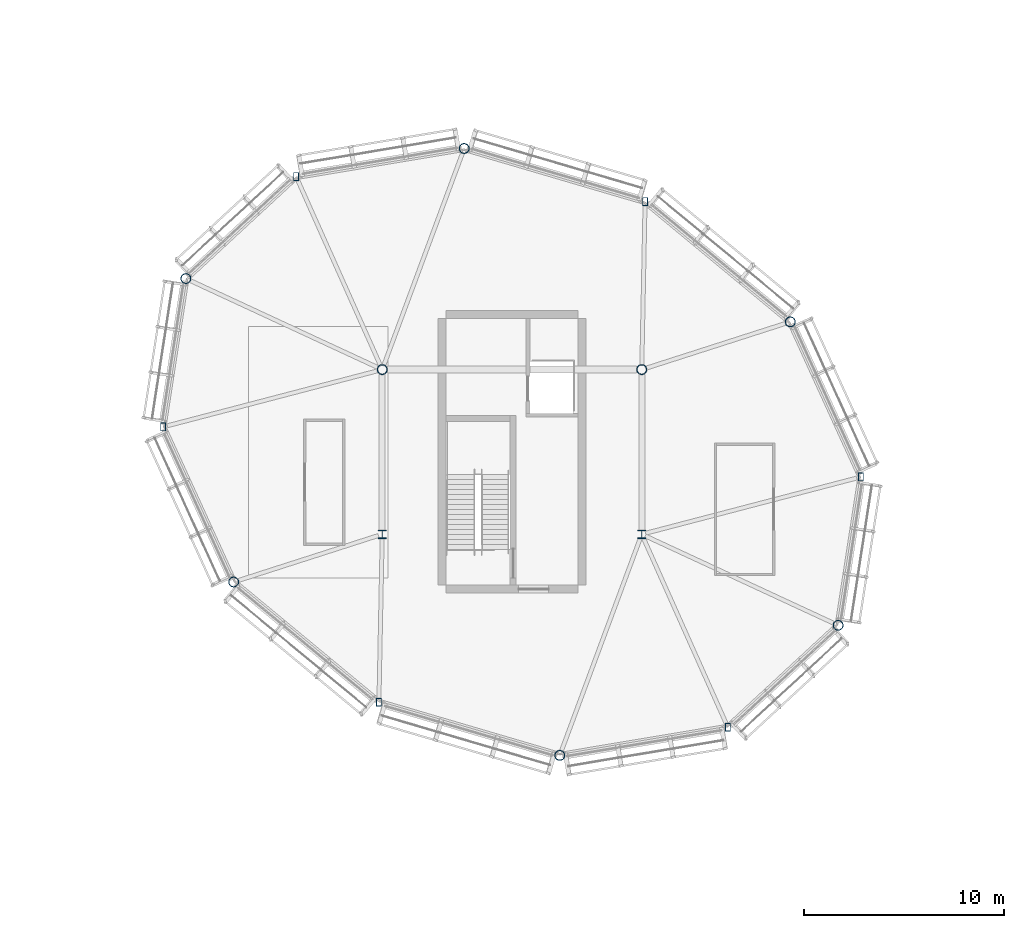
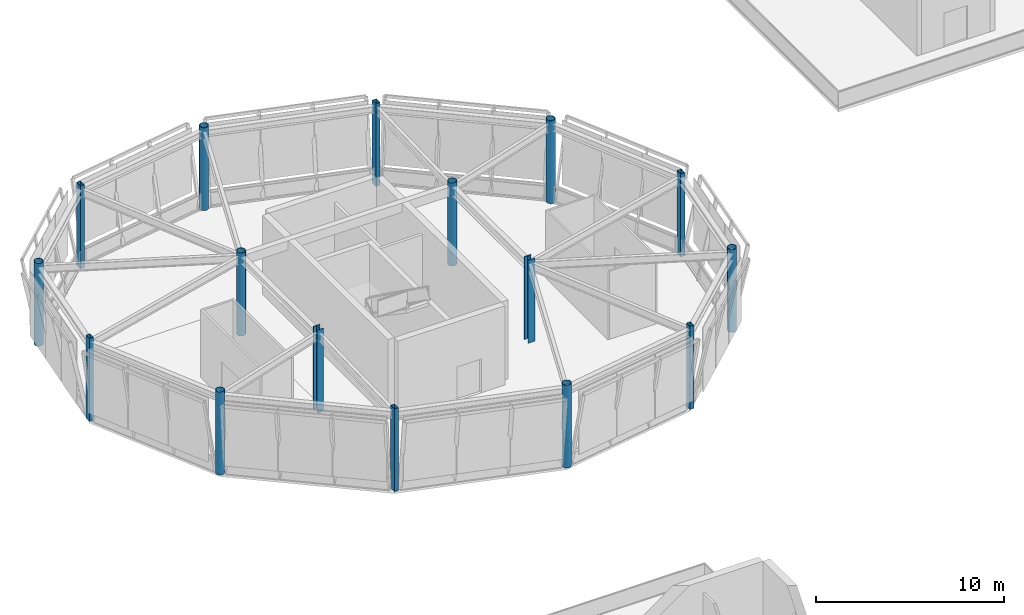
# One storey, part 8 of 90: 16 columns.
"""IFC4 building model written with IfcOpenShell, lengths in metres."""

from ifc_helpers import new_model, si_unit, direction, frame, origin, origin_2d, place, context, subcontext, project, spatial, hollow_rectangle, hollow_circle, i_section, extrude, material, material_profile, profile_set, type_object, element, save


model = new_model("IFC4")

# Units and contexts
model_context = context("Model", 3, precision=1e-05, world=origin(), true_north=direction((0.0, 1.0)))
body_context = subcontext(model_context, "Body", "Model", "MODEL_VIEW")
ifc_project = project(units=[si_unit("LENGTHUNIT", "METRE"), si_unit("AREAUNIT", "SQUARE_METRE"), si_unit("VOLUMEUNIT", "CUBIC_METRE"), si_unit("PLANEANGLEUNIT", "RADIAN"), si_unit("MASSUNIT", "GRAM", prefix="KILO")], contexts=[model_context])

# Site, building, storey
site_placement = place(None, origin())
site = spatial("IfcSite", under=ifc_project, at=site_placement, CompositionType="ELEMENT")
building_placement = place(site_placement, origin())
building = spatial("IfcBuilding", under=site, at=building_placement, Name="Linyun Crest Stadium", CompositionType="ELEMENT")
storey_placement = place(building_placement, frame((0.0, 0.0, 21.0)))
storey = spatial("IfcBuildingStorey", under=building, at=storey_placement, Name="L05", CompositionType="ELEMENT", Elevation=21.0)

# Columns
ifc_material_1 = material(Name="Steel Q355C", Category="steel")
ifc_material_profile_1 = material_profile(ifc_material_1, i_section(OverallWidth=0.406982421875, OverallDepth=0.427978515625, WebThickness=0.02001953125, FlangeThickness=0.034912109375, at=origin_2d()), Name="HW 428x407")
ifc_profile_set_1 = profile_set([ifc_material_profile_1], Name="Steel Q355C")
column_type_1 = type_object("IfcColumnType", Name="SC03", PredefinedType="COLUMN", material=ifc_profile_set_1)
for number, where, z_axis, x_axis, name in (
    (1, (-80.0, 80.5, 0.0), (0.0, 0.0, 1.0), (1.0, 0.0, 0.0), "Column SC03 L05 799"),
    (2, (-67.0, 80.5, 0.0), (0.0, 0.0, 1.0), (1.0, 0.0, 0.0), "Column SC03 L05 806"),
):
    element("IfcColumn", number, at=place(storey_placement, frame(where, z_axis=z_axis, x_axis=x_axis)), inside=storey, type_object=column_type_1, Name=name, PredefinedType="COLUMN", context=body_context, shape_type="SweptSolid", body=[
        extrude(i_section(OverallWidth=0.406982421875, OverallDepth=0.427978515625, WebThickness=0.02001953125, FlangeThickness=0.034912109375, at=origin_2d()), origin(), (0.0, 0.0, 1.0), 5.39794921875),
    ])
ifc_material_2 = material(Name="Steel Q355C", Category="steel")
ifc_material_profile_2 = material_profile(ifc_material_2, hollow_circle(Radius=0.25390625, WallThickness=0.02490234375, at=origin_2d()), Name="CHS 508x25")
ifc_profile_set_2 = profile_set([ifc_material_profile_2], Name="Steel Q355C")
column_type_2 = type_object("IfcColumnType", Name="SC05", PredefinedType="COLUMN", material=ifc_profile_set_2)
for number, where, z_axis, x_axis, name in (
    (3, (-80.0, 88.75, 0.0), (0.0, 0.0, 1.0), (1.0, 0.0, 0.0), "Column SC05 L05 813"),
    (4, (-67.0, 88.75, 0.0), (0.0, 0.0, 1.0), (1.0, 0.0, 0.0), "Column SC05 L05 820"),
    (5, (-57.1650390625, 75.93994140625, 0.0), (0.0, 0.0, 1.0), (1.0, 0.0, 0.0), "Pod perimeter column SC05 L05 948"),
    (6, (-59.55908203125, 91.139892578125, 0.0), (0.0, 0.0, 1.0), (1.0, 0.0, 0.0), "Pod perimeter column SC05 L05 956"),
    (7, (-75.89404296875, 99.825927734375, 0.0), (0.0, 0.0, 1.0), (1.0, 0.0, 0.0), "Pod perimeter column SC05 L05 964"),
    (8, (-89.8349609375, 93.31005859375, 0.0), (0.0, 0.0, 1.0), (1.0, 0.0, 0.0), "Pod perimeter column SC05 L05 972"),
    (9, (-87.44091796875, 78.110107421875, 0.0), (0.0, 0.0, 1.0), (1.0, 0.0, 0.0), "Pod perimeter column SC05 L05 980"),
    (10, (-71.10595703125, 69.424072265625, 0.0), (0.0, 0.0, 1.0), (1.0, 0.0, 0.0), "Pod perimeter column SC05 L05 988"),
):
    element("IfcColumn", number, at=place(storey_placement, frame(where, z_axis=z_axis, x_axis=x_axis)), inside=storey, type_object=column_type_2, Name=name, PredefinedType="COLUMN", context=body_context, shape_type="SweptSolid", body=[
        extrude(hollow_circle(Radius=0.25390625, WallThickness=0.02490234375, at=origin_2d()), origin(), (0.0, 0.0, 1.0), 5.39794921875),
    ])
ifc_material_3 = material(Name="Steel Q355C", Category="steel")
ifc_material_profile_3 = material_profile(ifc_material_3, hollow_rectangle(XDim=0.25, YDim=0.39990234375, WallThickness=0.01611328125, at=origin_2d()), Name="RHS 400x250x16")
ifc_profile_set_3 = profile_set([ifc_material_profile_3], Name="Steel Q355C")
column_type_3 = type_object("IfcColumnType", Name="SC06", PredefinedType="COLUMN", material=ifc_profile_set_3)
for number, where, z_axis, x_axis, name in (
    (11, (-56.02099609375, 83.3720703125, 0.0), (0.0, 0.0, 1.0), (1.0, 0.0, 0.0), "Pod perimeter column SC06 L05 952"),
    (12, (-66.833984375, 97.1630859375, 0.0), (0.0, 0.0, 1.0), (1.0, 0.0, 0.0), "Pod perimeter column SC06 L05 960"),
    (13, (-84.31298828125, 98.416015625, 0.0), (0.0, 0.0, 1.0), (1.0, 0.0, 0.0), "Pod perimeter column SC06 L05 968"),
    (14, (-90.97900390625, 85.8779296875, 0.0), (0.0, 0.0, 1.0), (1.0, 0.0, 0.0), "Pod perimeter column SC06 L05 976"),
    (15, (-80.166015625, 72.0869140625, 0.0), (0.0, 0.0, 1.0), (1.0, 0.0, 0.0), "Pod perimeter column SC06 L05 984"),
    (16, (-62.68701171875, 70.833984375, 0.0), (0.0, 0.0, 1.0), (1.0, 0.0, 0.0), "Pod perimeter column SC06 L05 992"),
):
    element("IfcColumn", number, at=place(storey_placement, frame(where, z_axis=z_axis, x_axis=x_axis)), inside=storey, type_object=column_type_3, Name=name, PredefinedType="COLUMN", context=body_context, shape_type="SweptSolid", body=[
        extrude(hollow_rectangle(XDim=0.25, YDim=0.39990234375, WallThickness=0.01611328125, at=origin_2d()), origin(), (0.0, 0.0, 1.0), 5.39794921875),
    ])

save(model, "model.ifc")
